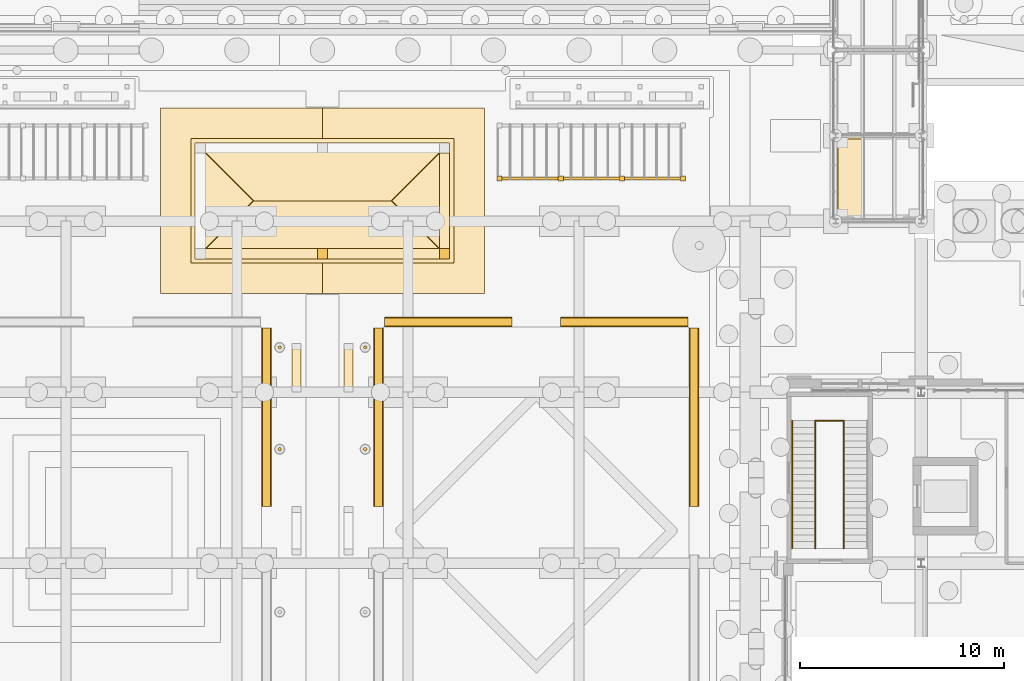
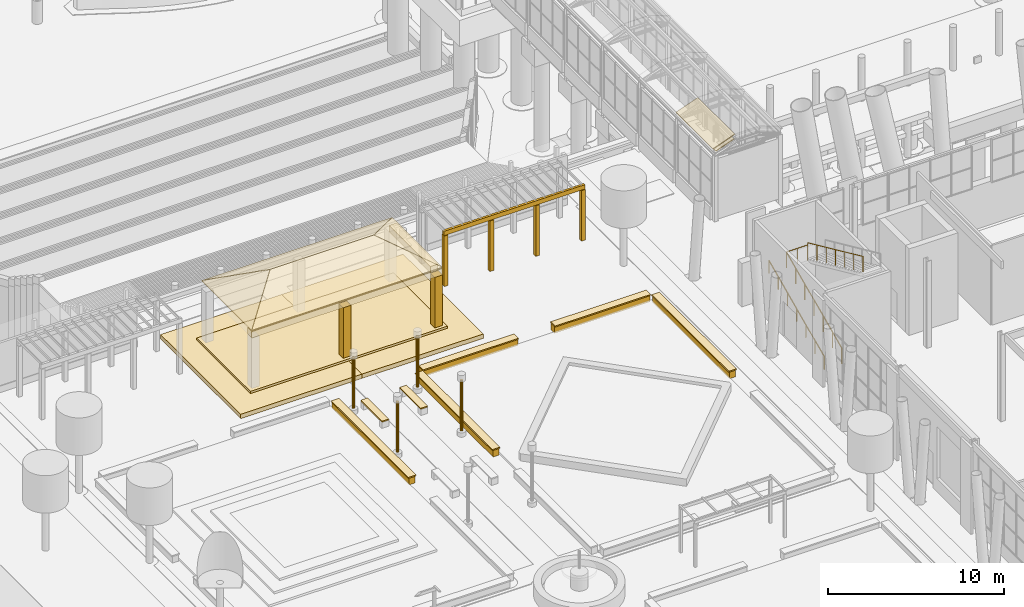
# One storey, part 144 of 222: 34 coverings, 4 railings.
"""IFC4 building model written with IfcOpenShell, lengths in metres."""

from ifc_helpers import new_model, si_unit, direction, frame, origin, origin_2d, place, context, subcontext, project, spatial, polyline, circle, outline, extrude, material, layer, layer_set, type_object, element, save


model = new_model("IFC4")

# Units and contexts
model_context = context("Model", 3, precision=1e-05, world=origin(), true_north=direction((0.0, 1.0)))
body_context = subcontext(model_context, "Body", "Model", "MODEL_VIEW")
ifc_project = project(units=[si_unit("LENGTHUNIT", "METRE"), si_unit("AREAUNIT", "SQUARE_METRE"), si_unit("VOLUMEUNIT", "CUBIC_METRE"), si_unit("PLANEANGLEUNIT", "RADIAN"), si_unit("MASSUNIT", "GRAM", prefix="KILO")], contexts=[model_context])

# Site, building, storey
site_placement = place(None, origin())
site = spatial("IfcSite", under=ifc_project, at=site_placement, CompositionType="ELEMENT")
building_placement = place(site_placement, origin())
building = spatial("IfcBuilding", under=site, at=building_placement, Name="Sava Quay Ferry Terminal", CompositionType="ELEMENT")
storey_placement = place(building_placement, origin())
storey = spatial("IfcBuildingStorey", under=building, at=storey_placement, Name="L00", CompositionType="ELEMENT", Elevation=0.0)

# Coverings
ifc_material_1 = material(Name="Glulam GL28h", Category="wood")
ifc_layer_1 = layer(ifc_material_1, 0.449951171875)
ifc_layer_set_1 = layer_set([ifc_layer_1], Name="Glulam GL28h")
covering_type_1 = type_object("IfcCoveringType", Name="Bench seat 450", PredefinedType="CLADDING", material=ifc_layer_set_1)
covering_1_placement = place(storey_placement, frame((0.0, 0.0, 0.419921875)))
element("IfcCovering", 1, at=covering_1_placement, inside=storey, type_object=covering_type_1, Name="Bench seat", PredefinedType="CLADDING", context=body_context, shape_type="SweptSolid", body=[
    extrude(outline(polyline([(19.949951171875, 100.800048828125), (19.949951171875, 103.199951171875), (19.5, 103.199951171875), (19.5, 100.800048828125), (19.949951171875, 100.800048828125)])), origin(), (0.0, 0.0, 1.0), 0.080078125),
])
covering_2_placement = place(storey_placement, frame((0.0, 0.0, 0.419921875)))
element("IfcCovering", 2, at=covering_2_placement, inside=storey, type_object=covering_type_1, Name="Bench seat", PredefinedType="CLADDING", context=body_context, shape_type="SweptSolid", body=[
    extrude(outline(polyline([(22.5, 100.800048828125), (22.5, 103.199951171875), (22.050048828125, 103.199951171875), (22.050048828125, 100.800048828125), (22.5, 100.800048828125)])), origin(), (0.0, 0.0, 1.0), 0.080078125),
])
ifc_material_2 = material(Name="Glulam GL28h", Category="wood")
ifc_layer_2 = layer(ifc_material_2, 0.06005859375)
ifc_layer_set_2 = layer_set([ifc_layer_2], Name="Glulam GL28h")
covering_type_2 = type_object("IfcCoveringType", Name="Glulam soffit lining 60", PredefinedType="CEILING", material=ifc_layer_set_2)
covering_3_placement = place(storey_placement, frame((46.317138671875, 109.360107421875, 4.645751953125), z_axis=(-0.341968236193, 0.0, 0.939711511814), x_axis=(0.939711511814, 0.0, 0.341968236193)))
element("IfcCovering", 3, at=covering_3_placement, inside=storey, type_object=covering_type_2, Name="Boarding gallery B1 timber soffit lining bay 1 facet 1", PredefinedType="CEILING", context=body_context, shape_type="SweptSolid", body=[
    extrude(outline(polyline([(0.0, 0.0), (1.305773916594794, 0.0), (1.305773916594794, 3.8798828125), (0.0, 3.8798828125), (0.0, 0.0)])), origin(), (0.0, 0.0, -1.0), 0.06005859375),
])

# Railings
ifc_material_3 = material(Name="Steel S355", Category="steel")
railing_type_1 = type_object("IfcRailingType", Name="Guard 1100", PredefinedType="GUARDRAIL", material=ifc_material_3)
railing_1_placement = place(storey_placement, frame((45.199951171875, 93.1298828125, 0.14990234375)))
element("IfcRailing", 4, at=railing_1_placement, inside=storey, type_object=railing_type_1, Name="Guard at stair well ST-D5 L00", PredefinedType="GUARDRAIL", context=body_context, shape_type="SweptSolid", body=[
    extrude(circle(Radius=0.02392578125, at=origin_2d()), frame((0.0, 0.0, 1.076171875), z_axis=(0.0, 0.910361621584, 0.413813627068), x_axis=(-1.0, 0.0, 0.0)), (0.0, 0.0, 1.0), 6.887451171875),
    extrude(circle(Radius=0.02099609375, at=origin_2d()), origin(), (0.0, 0.0, 1.0), 1.052001953125),
    extrude(circle(Radius=0.02099609375, at=origin_2d()), frame((0.0, 1.044921875, 0.47509765625)), (0.0, 0.0, 1.0), 1.052001953125),
    extrude(circle(Radius=0.02099609375, at=origin_2d()), frame((0.0, 2.090087890625, 0.949951171875)), (0.0, 0.0, 1.0), 1.052001953125),
    extrude(circle(Radius=0.02099609375, at=origin_2d()), frame((0.0, 3.135009765625, 1.425048828125)), (0.0, 0.0, 1.0), 1.052001953125),
    extrude(circle(Radius=0.02099609375, at=origin_2d()), frame((0.0, 4.179931640625, 1.900146484375)), (0.0, 0.0, 1.0), 1.052001953125),
    extrude(circle(Radius=0.02099609375, at=origin_2d()), frame((0.0, 5.22509765625, 2.375)), (0.0, 0.0, 1.0), 1.052001953125),
    extrude(circle(Radius=0.02099609375, at=origin_2d()), frame((0.0, 6.27001953125, 2.85009765625)), (0.0, 0.0, 1.0), 1.052001953125),
])
railing_2_placement = place(storey_placement, frame((46.60009765625, 99.39990234375, 3.14990234375)))
element("IfcRailing", 5, at=railing_2_placement, inside=storey, type_object=railing_type_1, Name="Guard at stair well ST-D5 L00", PredefinedType="GUARDRAIL", context=body_context, shape_type="SweptSolid", body=[
    extrude(circle(Radius=0.02392578125, at=origin_2d()), frame((0.0, 0.0, 1.076171875), z_axis=(0.0, -0.910361621584, 0.413813627068), x_axis=(1.0, 0.0, 0.0)), (0.0, 0.0, 1.0), 6.887451171875),
    extrude(circle(Radius=0.02099609375, at=origin_2d()), origin(), (0.0, 0.0, 1.0), 1.052001953125),
    extrude(circle(Radius=0.02099609375, at=origin_2d()), frame((0.0, -1.044921875, 0.47509765625)), (0.0, 0.0, 1.0), 1.052001953125),
    extrude(circle(Radius=0.02099609375, at=origin_2d()), frame((0.0, -2.090087890625, 0.949951171875)), (0.0, 0.0, 1.0), 1.052001953125),
    extrude(circle(Radius=0.02099609375, at=origin_2d()), frame((0.0, -3.135009765625, 1.425048828125)), (0.0, 0.0, 1.0), 1.052001953125),
    extrude(circle(Radius=0.02099609375, at=origin_2d()), frame((0.0, -4.179931640625, 1.900146484375)), (0.0, 0.0, 1.0), 1.052001953125),
    extrude(circle(Radius=0.02099609375, at=origin_2d()), frame((0.0, -5.22509765625, 2.375)), (0.0, 0.0, 1.0), 1.052001953125),
    extrude(circle(Radius=0.02099609375, at=origin_2d()), frame((0.0, -6.27001953125, 2.85009765625)), (0.0, 0.0, 1.0), 1.052001953125),
])
railing_3_placement = place(storey_placement, frame((45.199951171875, 99.39990234375, 3.0)))
element("IfcRailing", 6, at=railing_3_placement, inside=storey, type_object=railing_type_1, Name="Guard at half landing ST-D5 L00", PredefinedType="GUARDRAIL", context=body_context, shape_type="SweptSolid", body=[
    extrude(circle(Radius=0.02392578125, at=origin_2d()), frame((0.0, 0.0, 1.076171875), z_axis=(1.0, 0.0, 0.0), x_axis=(0.0, 1.0, 0.0)), (0.0, 0.0, 1.0), 1.400146484375),
    extrude(circle(Radius=0.02099609375, at=origin_2d()), origin(), (0.0, 0.0, 1.0), 1.052001953125),
    extrude(circle(Radius=0.02099609375, at=origin_2d()), frame((0.7001953125, 0.0, 0.0)), (0.0, 0.0, 1.0), 1.052001953125),
    extrude(circle(Radius=0.02099609375, at=origin_2d()), frame((1.400146484375, 0.0, 0.0)), (0.0, 0.0, 1.0), 1.052001953125),
])

# Coverings
ifc_material_4 = material(Name="Steel S355", Category="steel")
ifc_layer_3 = layer(ifc_material_4, 0.159912109375)
ifc_layer_set_3 = layer_set([ifc_layer_3], Name="Steel S355")
covering_type_3 = type_object("IfcCoveringType", Name="Lamp standard column 160", PredefinedType="CLADDING", material=ifc_layer_set_3)
for number, where, z_axis, x_axis, name in (
    (7, (18.89990234375, 98.0, 3.800048828125), (0.0, 0.0, -1.0), (1.0, 0.0, 0.0), "Lamp standard column"),
    (8, (23.10009765625, 98.0, 3.800048828125), (0.0, 0.0, -1.0), (1.0, 0.0, 0.0), "Lamp standard column"),
    (9, (18.89990234375, 103.0, 3.800048828125), (0.0, 0.0, -1.0), (1.0, 0.0, 0.0), "Lamp standard column"),
    (10, (23.10009765625, 103.0, 3.800048828125), (0.0, 0.0, -1.0), (1.0, 0.0, 0.0), "Lamp standard column"),
):
    element("IfcCovering", number, at=place(storey_placement, frame(where, z_axis=z_axis, x_axis=x_axis)), inside=storey, type_object=covering_type_3, Name=name, PredefinedType="CLADDING", context=body_context, shape_type="SweptSolid", body=[
        extrude(circle(Radius=0.080078125, at=origin_2d()), origin(), (0.0, 0.0, 1.0), 3.5),
    ])
ifc_material_5 = material(Name="Steel S355", Category="steel")
ifc_layer_4 = layer(ifc_material_5, 0.14990234375)
ifc_layer_set_4 = layer_set([ifc_layer_4], Name="Steel S355")
covering_type_4 = type_object("IfcCoveringType", Name="Promenade pergola beam 150x300", PredefinedType="CLADDING", material=ifc_layer_set_4)
covering_4_placement = place(storey_placement, frame((0.0, 0.0, 3.5)))
element("IfcCovering", 11, at=covering_4_placement, inside=storey, type_object=covering_type_4, Name="Promenade pergola beam", PredefinedType="CLADDING", context=body_context, shape_type="SweptSolid", body=[
    extrude(outline(polyline([(38.824951171875, 111.22509765625), (38.824951171875, 111.375), (29.574951171875, 111.375), (29.574951171875, 111.22509765625), (38.824951171875, 111.22509765625)])), origin(), (0.0, 0.0, 1.0), 0.300048828125),
])
ifc_material_6 = material(Name="Steel S355", Category="steel")
ifc_layer_5 = layer(ifc_material_6, 0.25)
ifc_layer_set_5 = layer_set([ifc_layer_5], Name="Steel S355")
covering_type_5 = type_object("IfcCoveringType", Name="Promenade pergola post 250", PredefinedType="CLADDING", material=ifc_layer_set_5)
covering_5_placement = place(storey_placement, origin())
element("IfcCovering", 12, at=covering_5_placement, inside=storey, type_object=covering_type_5, Name="Promenade pergola post", PredefinedType="CLADDING", context=body_context, shape_type="SweptSolid", body=[
    extrude(outline(polyline([(29.824951171875, 111.175048828125), (29.824951171875, 111.425048828125), (29.574951171875, 111.425048828125), (29.574951171875, 111.175048828125), (29.824951171875, 111.175048828125)])), origin(), (0.0, 0.0, 1.0), 3.5),
])
covering_6_placement = place(storey_placement, origin())
element("IfcCovering", 13, at=covering_6_placement, inside=storey, type_object=covering_type_5, Name="Promenade pergola post", PredefinedType="CLADDING", context=body_context, shape_type="SweptSolid", body=[
    extrude(outline(polyline([(32.824951171875, 111.175048828125), (32.824951171875, 111.425048828125), (32.574951171875, 111.425048828125), (32.574951171875, 111.175048828125), (32.824951171875, 111.175048828125)])), origin(), (0.0, 0.0, 1.0), 3.5),
])
covering_7_placement = place(storey_placement, origin())
element("IfcCovering", 14, at=covering_7_placement, inside=storey, type_object=covering_type_5, Name="Promenade pergola post", PredefinedType="CLADDING", context=body_context, shape_type="SweptSolid", body=[
    extrude(outline(polyline([(35.824951171875, 111.175048828125), (35.824951171875, 111.425048828125), (35.574951171875, 111.425048828125), (35.574951171875, 111.175048828125), (35.824951171875, 111.175048828125)])), origin(), (0.0, 0.0, 1.0), 3.5),
])
covering_8_placement = place(storey_placement, origin())
element("IfcCovering", 15, at=covering_8_placement, inside=storey, type_object=covering_type_5, Name="Promenade pergola post", PredefinedType="CLADDING", context=body_context, shape_type="SweptSolid", body=[
    extrude(outline(polyline([(38.824951171875, 111.175048828125), (38.824951171875, 111.425048828125), (38.574951171875, 111.425048828125), (38.574951171875, 111.175048828125), (38.824951171875, 111.175048828125)])), origin(), (0.0, 0.0, 1.0), 3.5),
])

# Railing
ifc_material_7 = material(Name="Steel S355", Category="steel")
railing_type_2 = type_object("IfcRailingType", Name="Stair handrail 900", PredefinedType="HANDRAIL", material=ifc_material_7)
railing_4_placement = place(storey_placement, frame((44.06005859375, 93.1298828125, 0.14990234375)))
element("IfcRailing", 16, at=railing_4_placement, inside=storey, type_object=railing_type_2, Name="Handrail ST-D5 L00", PredefinedType="HANDRAIL", context=body_context, shape_type="SweptSolid", body=[
    extrude(circle(Radius=0.02392578125, at=origin_2d()), frame((0.0, 0.0, 0.8759765625), z_axis=(0.0, 0.910361621584, 0.413813627068), x_axis=(-1.0, 0.0, 0.0)), (0.0, 0.0, 1.0), 6.887451171875),
    extrude(circle(Radius=0.02099609375, at=origin_2d()), origin(), (0.0, 0.0, 1.0), 0.851806640625),
    extrude(circle(Radius=0.02099609375, at=origin_2d()), frame((0.0, 1.044921875, 0.47509765625)), (0.0, 0.0, 1.0), 0.851806640625),
    extrude(circle(Radius=0.02099609375, at=origin_2d()), frame((0.0, 2.090087890625, 0.949951171875)), (0.0, 0.0, 1.0), 0.851806640625),
    extrude(circle(Radius=0.02099609375, at=origin_2d()), frame((0.0, 3.135009765625, 1.425048828125)), (0.0, 0.0, 1.0), 0.851806640625),
    extrude(circle(Radius=0.02099609375, at=origin_2d()), frame((0.0, 4.179931640625, 1.900146484375)), (0.0, 0.0, 1.0), 0.851806640625),
    extrude(circle(Radius=0.02099609375, at=origin_2d()), frame((0.0, 5.22509765625, 2.375)), (0.0, 0.0, 1.0), 0.851806640625),
    extrude(circle(Radius=0.02099609375, at=origin_2d()), frame((0.0, 6.27001953125, 2.85009765625)), (0.0, 0.0, 1.0), 0.851806640625),
])

# Coverings
ifc_material_8 = material(Name="Zinc standing seam sheet")
ifc_layer_6 = layer(ifc_material_8, 0.0400390625)
ifc_layer_set_6 = layer_set([ifc_layer_6], Name="Zinc standing seam sheet")
covering_type_6 = type_object("IfcCoveringType", Name="Standing seam roofing 40", PredefinedType="ROOFING", material=ifc_layer_set_6)
covering_9_placement = place(storey_placement, frame((46.0361328125, 109.2099609375, 4.979736328125), z_axis=(-0.342089424704, 0.0, 0.939667401534), x_axis=(0.939667401534, 0.0, 0.342089424704)))
element("IfcCovering", 17, at=covering_9_placement, inside=storey, type_object=covering_type_6, Name="Boarding gallery B1 roofing bay 1 facet 1", PredefinedType="ROOFING", context=body_context, shape_type="SweptSolid", body=[
    extrude(outline(polyline([(0.0, 0.0), (1.5279778922638676, 0.0), (1.5279778922638676, 4.179931640625), (0.0, 4.179931640625), (0.0, 0.0)])), origin(), (0.0, 0.0, -1.0), 0.0400390625),
])
ifc_material_9 = material(Name="Limestone Mutalj", Category="masonry")
ifc_layer_7 = layer(ifc_material_9, 0.080078125)
ifc_layer_set_7 = layer_set([ifc_layer_7], Name="Limestone Mutalj")
covering_type_7 = type_object("IfcCoveringType", Name="Terrace parterre coping 500", PredefinedType="MOLDING", material=ifc_layer_set_7)
covering_10_placement = place(storey_placement, frame((0.0, 0.0, 0.449951171875)))
element("IfcCovering", 18, at=covering_10_placement, inside=storey, type_object=covering_type_7, Name="Parterre wall coping", PredefinedType="MOLDING", context=body_context, shape_type="SweptSolid", body=[
    extrude(outline(polyline([(18.0, 95.199951171875), (18.5, 95.199951171875), (18.5, 103.949951171875), (18.0, 103.949951171875), (18.0, 95.199951171875)])), origin(), (0.0, 0.0, 1.0), 0.080078125),
])
covering_11_placement = place(storey_placement, frame((0.0, 0.0, 0.449951171875)))
element("IfcCovering", 19, at=covering_11_placement, inside=storey, type_object=covering_type_7, Name="Parterre wall coping", PredefinedType="MOLDING", context=body_context, shape_type="SweptSolid", body=[
    extrude(outline(polyline([(30.300048828125, 104.0), (30.300048828125, 104.5), (24.050048828125, 104.5), (24.050048828125, 104.0), (30.300048828125, 104.0)])), origin(), (0.0, 0.0, 1.0), 0.080078125),
])
covering_12_placement = place(storey_placement, frame((0.0, 0.0, 0.449951171875)))
element("IfcCovering", 20, at=covering_12_placement, inside=storey, type_object=covering_type_7, Name="Parterre wall coping", PredefinedType="MOLDING", context=body_context, shape_type="SweptSolid", body=[
    extrude(outline(polyline([(23.5, 95.199951171875), (24.0, 95.199951171875), (24.0, 103.949951171875), (23.5, 103.949951171875), (23.5, 95.199951171875)])), origin(), (0.0, 0.0, 1.0), 0.080078125),
])
covering_13_placement = place(storey_placement, frame((0.0, 0.0, 0.449951171875)))
element("IfcCovering", 21, at=covering_13_placement, inside=storey, type_object=covering_type_7, Name="Parterre wall coping", PredefinedType="MOLDING", context=body_context, shape_type="SweptSolid", body=[
    extrude(outline(polyline([(39.0, 95.199951171875), (39.5, 95.199951171875), (39.5, 103.949951171875), (39.0, 103.949951171875), (39.0, 95.199951171875)])), origin(), (0.0, 0.0, 1.0), 0.080078125),
])
covering_14_placement = place(storey_placement, frame((0.0, 0.0, 0.449951171875)))
element("IfcCovering", 22, at=covering_14_placement, inside=storey, type_object=covering_type_7, Name="Parterre wall coping", PredefinedType="MOLDING", context=body_context, shape_type="SweptSolid", body=[
    extrude(outline(polyline([(32.699951171875, 104.5), (32.699951171875, 104.0), (38.949951171875, 104.0), (38.949951171875, 104.5), (32.699951171875, 104.5)])), origin(), (0.0, 0.0, 1.0), 0.080078125),
])
ifc_material_10 = material(Name="Limestone Mutalj", Category="masonry")
ifc_layer_8 = layer(ifc_material_10, 0.39990234375)
ifc_layer_set_8 = layer_set([ifc_layer_8], Name="Limestone Mutalj")
covering_type_8 = type_object("IfcCoveringType", Name="Terrace parterre wall 400", PredefinedType="CLADDING", material=ifc_layer_set_8)
covering_15_placement = place(storey_placement, origin())
element("IfcCovering", 23, at=covering_15_placement, inside=storey, type_object=covering_type_8, Name="Parterre wall", PredefinedType="CLADDING", context=body_context, shape_type="SweptSolid", body=[
    extrude(outline(polyline([(18.050048828125, 95.199951171875), (18.449951171875, 95.199951171875), (18.449951171875, 103.949951171875), (18.050048828125, 103.949951171875), (18.050048828125, 95.199951171875)])), origin(), (0.0, 0.0, 1.0), 0.449951171875),
])
covering_16_placement = place(storey_placement, origin())
element("IfcCovering", 24, at=covering_16_placement, inside=storey, type_object=covering_type_8, Name="Parterre wall", PredefinedType="CLADDING", context=body_context, shape_type="SweptSolid", body=[
    extrude(outline(polyline([(30.300048828125, 104.050048828125), (30.300048828125, 104.449951171875), (24.050048828125, 104.449951171875), (24.050048828125, 104.050048828125), (30.300048828125, 104.050048828125)])), origin(), (0.0, 0.0, 1.0), 0.449951171875),
])
covering_17_placement = place(storey_placement, origin())
element("IfcCovering", 25, at=covering_17_placement, inside=storey, type_object=covering_type_8, Name="Parterre wall", PredefinedType="CLADDING", context=body_context, shape_type="SweptSolid", body=[
    extrude(outline(polyline([(23.550048828125, 95.199951171875), (23.949951171875, 95.199951171875), (23.949951171875, 103.949951171875), (23.550048828125, 103.949951171875), (23.550048828125, 95.199951171875)])), origin(), (0.0, 0.0, 1.0), 0.449951171875),
])
covering_18_placement = place(storey_placement, origin())
element("IfcCovering", 26, at=covering_18_placement, inside=storey, type_object=covering_type_8, Name="Parterre wall", PredefinedType="CLADDING", context=body_context, shape_type="SweptSolid", body=[
    extrude(outline(polyline([(39.050048828125, 95.199951171875), (39.449951171875, 95.199951171875), (39.449951171875, 103.949951171875), (39.050048828125, 103.949951171875), (39.050048828125, 95.199951171875)])), origin(), (0.0, 0.0, 1.0), 0.449951171875),
])
covering_19_placement = place(storey_placement, origin())
element("IfcCovering", 27, at=covering_19_placement, inside=storey, type_object=covering_type_8, Name="Parterre wall", PredefinedType="CLADDING", context=body_context, shape_type="SweptSolid", body=[
    extrude(outline(polyline([(32.699951171875, 104.449951171875), (32.699951171875, 104.050048828125), (38.949951171875, 104.050048828125), (38.949951171875, 104.449951171875), (32.699951171875, 104.449951171875)])), origin(), (0.0, 0.0, 1.0), 0.449951171875),
])
ifc_material_11 = material(Name="Limestone Mutalj", Category="masonry")
ifc_layer_9 = layer(ifc_material_11, 0.5)
ifc_layer_set_9 = layer_set([ifc_layer_9], Name="Limestone Mutalj")
covering_type_9 = type_object("IfcCoveringType", Name="Terrace pavilion architrave 450", PredefinedType="MOLDING", material=ifc_layer_set_9)
covering_20_placement = place(storey_placement, frame((0.0, 0.0, 3.949951171875)))
element("IfcCovering", 28, at=covering_20_placement, inside=storey, type_object=covering_type_9, Name="Pavilion architrave", PredefinedType="MOLDING", context=body_context, shape_type="SweptSolid", body=[
    extrude(outline(polyline([(27.25, 107.35009765625), (27.25, 107.85009765625), (14.75, 107.85009765625), (14.75, 107.35009765625), (27.25, 107.35009765625)])), origin(), (0.0, 0.0, 1.0), 0.449951171875),
])
covering_21_placement = place(storey_placement, frame((0.0, 0.0, 3.949951171875)))
element("IfcCovering", 29, at=covering_21_placement, inside=storey, type_object=covering_type_9, Name="Pavilion architrave", PredefinedType="MOLDING", context=body_context, shape_type="SweptSolid", body=[
    extrude(outline(polyline([(27.25, 107.85009765625), (27.25, 112.550048828125), (26.75, 112.550048828125), (26.75, 107.85009765625), (27.25, 107.85009765625)])), origin(), (0.0, 0.0, 1.0), 0.449951171875),
])
ifc_material_12 = material(Name="Zinc standing seam")
ifc_layer_10 = layer(ifc_material_12, 0.10009765625)
ifc_layer_set_10 = layer_set([ifc_layer_10], Name="Zinc standing seam")
covering_type_10 = type_object("IfcCoveringType", Name="Terrace pavilion hip roof panel 100", PredefinedType="ROOFING", material=ifc_layer_set_10)
covering_22_placement = place(storey_placement, frame((14.757080078125, 107.35009765625, 4.488525390625), z_axis=(0.0, -0.465765179208, 0.884908355615), x_axis=(1.0, 0.0, 0.0)))
element("IfcCovering", 30, at=covering_22_placement, inside=storey, type_object=covering_type_10, Name="Pavilion hip roof panel", PredefinedType="ROOFING", context=body_context, shape_type="SweptSolid", body=[
    extrude(outline(polyline([(0.0, 0.0), (12.48583984375, 0.0), (9.6357421875, 3.2205069570675007), (2.85009765625, 3.2205069570675007), (0.0, 0.0)])), origin(), (0.0, 0.0, -1.0), 0.10009765625),
])
covering_23_placement = place(storey_placement, frame((27.242919921875, 113.050048828125, 4.488525390625), z_axis=(0.0, 0.465733935971, 0.884924799565), x_axis=(-1.0, 0.0, 0.0)))
element("IfcCovering", 31, at=covering_23_placement, inside=storey, type_object=covering_type_10, Name="Pavilion hip roof panel", PredefinedType="ROOFING", context=body_context, shape_type="SweptSolid", body=[
    extrude(outline(polyline([(0.0, 0.0), (12.48583984375, 0.0), (9.6357421875, 3.220723001153894), (2.85009765625, 3.220723001153894), (0.0, 0.0)])), origin(), (0.0, 0.0, -1.0), 0.10009765625),
])
covering_24_placement = place(storey_placement, frame((14.75, 107.357177734375, 4.488525390625), z_axis=(-0.465749564785, 0.0, 0.884916573979), x_axis=(0.0, 1.0, 0.0)))
element("IfcCovering", 32, at=covering_24_placement, inside=storey, type_object=covering_type_10, Name="Pavilion hip roof panel", PredefinedType="ROOFING", context=body_context, shape_type="SweptSolid", body=[
    extrude(outline(polyline([(0.0, 0.0), (5.685791015625, 0.0), (2.8427734375, -3.2127520963261103), (0.0, 0.0)])), origin(), (0.0, 0.0, -1.0), 0.10009765625),
])
covering_25_placement = place(storey_placement, frame((27.25, 113.04296875, 4.488525390625), z_axis=(0.465749564785, 0.0, 0.884916573979), x_axis=(0.0, -1.0, 0.0)))
element("IfcCovering", 33, at=covering_25_placement, inside=storey, type_object=covering_type_10, Name="Pavilion hip roof panel", PredefinedType="ROOFING", context=body_context, shape_type="SweptSolid", body=[
    extrude(outline(polyline([(0.0, 0.0), (5.685791015625, 0.0), (2.843017578125, -3.2127520963261103), (0.0, 0.0)])), origin(), (0.0, 0.0, -1.0), 0.10009765625),
])
ifc_material_13 = material(Name="Limestone Mutalj", Category="masonry")
ifc_layer_11 = layer(ifc_material_13, 0.5)
ifc_layer_set_11 = layer_set([ifc_layer_11], Name="Limestone Mutalj")
covering_type_11 = type_object("IfcCoveringType", Name="Terrace pavilion pier 500", PredefinedType="CLADDING", material=ifc_layer_set_11)
covering_26_placement = place(storey_placement, frame((0.0, 0.0, 0.449951171875)))
element("IfcCovering", 34, at=covering_26_placement, inside=storey, type_object=covering_type_11, Name="Pavilion pier", PredefinedType="CLADDING", context=body_context, shape_type="SweptSolid", body=[
    extrude(outline(polyline([(21.25, 107.35009765625), (21.25, 107.85009765625), (20.75, 107.85009765625), (20.75, 107.35009765625), (21.25, 107.35009765625)])), origin(), (0.0, 0.0, 1.0), 3.5),
])
covering_27_placement = place(storey_placement, frame((0.0, 0.0, 0.449951171875)))
element("IfcCovering", 35, at=covering_27_placement, inside=storey, type_object=covering_type_11, Name="Pavilion pier", PredefinedType="CLADDING", context=body_context, shape_type="SweptSolid", body=[
    extrude(outline(polyline([(27.25, 107.35009765625), (27.25, 107.85009765625), (26.75, 107.85009765625), (26.75, 107.35009765625), (27.25, 107.35009765625)])), origin(), (0.0, 0.0, 1.0), 3.5),
])
ifc_material_14 = material(Name="Limestone Mutalj", Category="masonry")
ifc_layer_12 = layer(ifc_material_14, 0.449951171875)
ifc_layer_set_12 = layer_set([ifc_layer_12], Name="Limestone Mutalj")
covering_type_12 = type_object("IfcCoveringType", Name="Terrace pavilion plinth 150", PredefinedType="MOLDING", material=ifc_layer_set_12)
covering_28_placement = place(storey_placement, origin())
element("IfcCovering", 36, at=covering_28_placement, inside=storey, type_object=covering_type_12, Name="Pavilion plinth", PredefinedType="MOLDING", context=body_context, shape_type="SweptSolid", body=[
    extrude(outline(polyline([(27.449951171875, 107.14990234375), (27.449951171875, 113.25), (14.550048828125, 113.25), (14.550048828125, 107.14990234375), (27.449951171875, 107.14990234375)])), origin(), (0.0, 0.0, 1.0), 0.449951171875),
])
ifc_material_15 = material(Name="Limestone Mutalj", Category="masonry")
ifc_layer_13 = layer(ifc_material_15, 0.14990234375)
ifc_layer_set_13 = layer_set([ifc_layer_13], Name="Limestone Mutalj")
covering_type_13 = type_object("IfcCoveringType", Name="Terrace pavilion step 150", PredefinedType="MOLDING", material=ifc_layer_set_13)
covering_29_placement = place(storey_placement, origin())
element("IfcCovering", 37, at=covering_29_placement, inside=storey, type_object=covering_type_13, Name="Pavilion step", PredefinedType="MOLDING", context=body_context, shape_type="SweptSolid", body=[
    extrude(outline(polyline([(21.0, 114.75), (13.050048828125, 114.75), (13.050048828125, 105.64990234375), (21.0, 105.64990234375), (21.0, 107.14990234375), (14.550048828125, 107.14990234375), (14.550048828125, 113.25), (21.0, 113.25), (21.0, 114.75)])), origin(), (0.0, 0.0, 1.0), 0.300048828125),
])
covering_30_placement = place(storey_placement, origin())
element("IfcCovering", 38, at=covering_30_placement, inside=storey, type_object=covering_type_13, Name="Pavilion step", PredefinedType="MOLDING", context=body_context, shape_type="SweptSolid", body=[
    extrude(outline(polyline([(28.949951171875, 114.75), (21.0, 114.75), (21.0, 113.25), (27.449951171875, 113.25), (27.449951171875, 107.14990234375), (21.0, 107.14990234375), (21.0, 105.64990234375), (28.949951171875, 105.64990234375), (28.949951171875, 114.75)])), origin(), (0.0, 0.0, 1.0), 0.300048828125),
])

save(model, "model.ifc")
